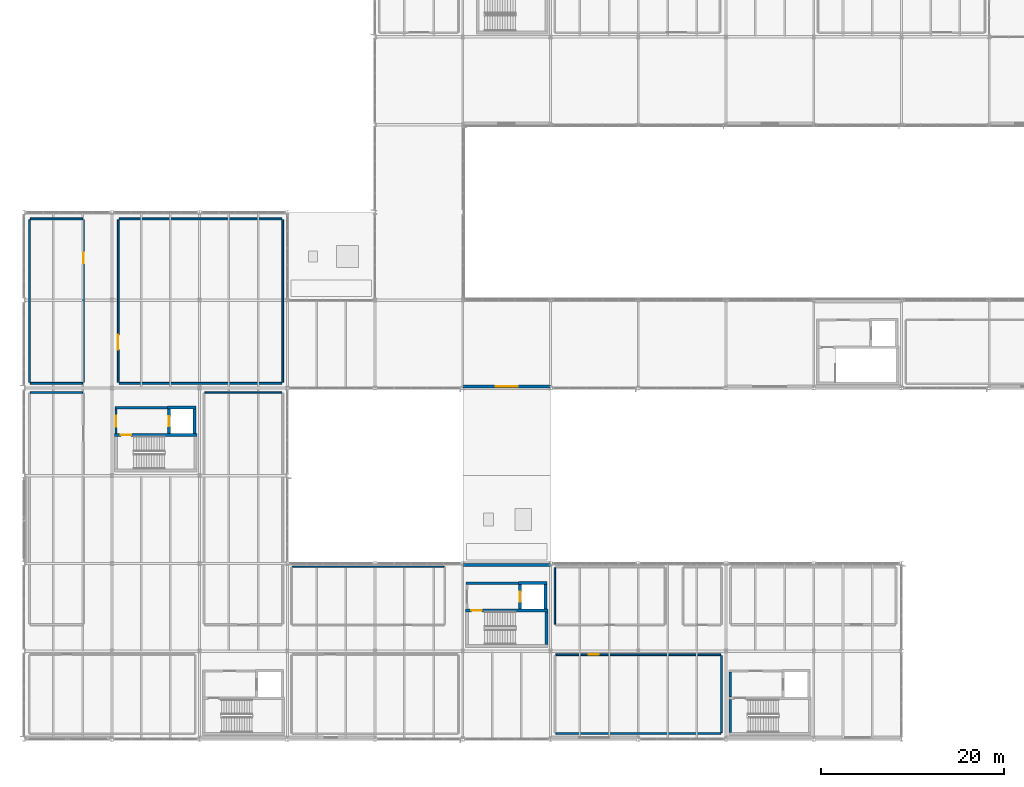
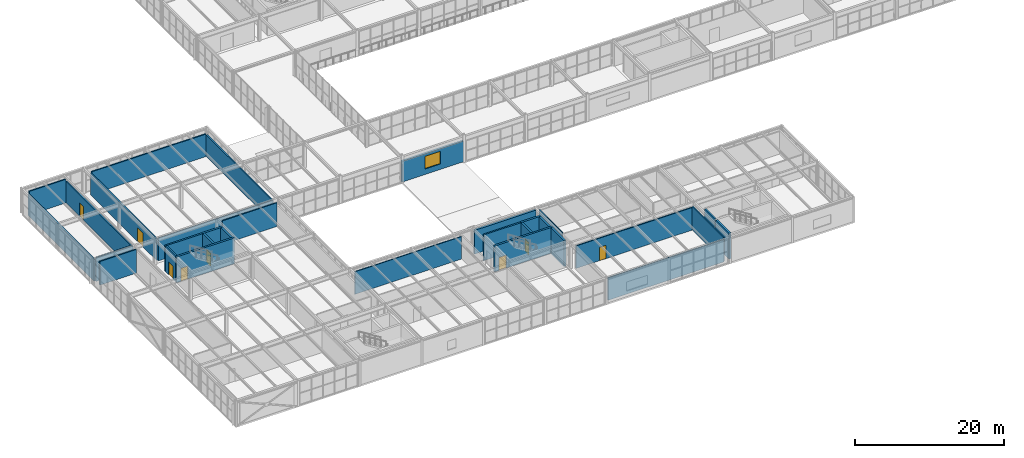
# One storey, part 151 of 170: 31 walls, 8 doors, 1 window, 9 openings.
"""IFC4 building model written with IfcOpenShell, lengths in metres."""

from ifc_helpers import new_model, si_unit, direction, frame, frame_2d, origin, place, context, subcontext, project, spatial, rectangle, extrude, material, layer, layer_set, type_object, element, fill, save


model = new_model("IFC4")

# Units and contexts
model_context = context("Model", 3, precision=1e-05, world=origin(), true_north=direction((0.0, 1.0)))
body_context = subcontext(model_context, "Body", "Model", "MODEL_VIEW")
ifc_project = project(units=[si_unit("LENGTHUNIT", "METRE"), si_unit("AREAUNIT", "SQUARE_METRE"), si_unit("VOLUMEUNIT", "CUBIC_METRE"), si_unit("PLANEANGLEUNIT", "RADIAN"), si_unit("MASSUNIT", "GRAM", prefix="KILO")], contexts=[model_context])

# Site, building, storey
site_placement = place(None, origin())
site = spatial("IfcSite", under=ifc_project, at=site_placement, CompositionType="ELEMENT")
building_placement = place(site_placement, origin())
building = spatial("IfcBuilding", under=site, at=building_placement, Name="Coralgate Yard Interchange", CompositionType="ELEMENT")
storey_placement = place(building_placement, frame((0.0, 0.0, 6.0)))
storey = spatial("IfcBuildingStorey", under=building, at=storey_placement, Name="L01", CompositionType="ELEMENT", Elevation=6.0)

# Wall, opening, door
ifc_material_1 = material(Name="Concrete C40/50", Category="concrete")
ifc_layer_1 = layer(ifc_material_1, 0.300048828125)
ifc_layer_set_1 = layer_set([ifc_layer_1], Name="Concrete C40/50")
wall_type_1 = type_object("IfcWallType", Name="WAL-CW300", PredefinedType="SHEAR", material=ifc_layer_set_1)
wall_1_placement = place(storey_placement, frame((18.89990234375, 33.25, 0.0), z_axis=(0.0, 0.0, 1.0), x_axis=(-1.0, 0.0, 0.0)))
wall_1 = element("IfcWall", 1, at=wall_1_placement, inside=storey, type_object=wall_type_1, Name="C1 L01 stair north shear wall", PredefinedType="SHEAR", context=body_context, shape_type="SweptSolid", body=[
    extrude(rectangle(XDim=9.0, YDim=0.300048828125, at=frame_2d((4.5, 0.0))), origin(), (0.0, 0.0, 1.0), 4.25),
])
opening_1_placement = place(wall_1_placement, frame((7.199951171875, 0.0, 0.0)))
opening_1 = element("IfcOpeningElement", 2, at=opening_1_placement, cuts=wall_1, Name="Opening FD-1", PredefinedType="OPENING", context=body_context, shape_type="SweptSolid", body=[
    extrude(rectangle(XDim=1.10009765625, YDim=2.14990234375, at=frame_2d((0.550048828125, 1.074951171875))), frame((0.0, 0.159912109375, 0.0), z_axis=(0.0, -1.0, 0.0), x_axis=(1.0, 0.0, 0.0)), (0.0, 0.0, 1.0), 0.320068359375),
])
ifc_material_2 = material(Name="Powder-coated steel fire door assembly", Category="steel")
door_type_1 = type_object("IfcDoorType", Name="DOR-FD-1", OperationType="NOTDEFINED", PredefinedType="DOOR", material=ifc_material_2)
door_1_placement = place(opening_1_placement, frame((1.10009765625, 0.0, 0.0), z_axis=(0.0, 0.0, 1.0), x_axis=(-1.0, 0.0, 0.0)))
door_1 = element("IfcDoor", 3, at=door_1_placement, inside=storey, type_object=door_type_1, Name="C1 L01 stair fire door", OperationType="SINGLE_SWING_RIGHT", OverallHeight=2.14990234375, OverallWidth=1.10009765625, PredefinedType="DOOR", context=body_context, shape_type="SweptSolid", body=[
    extrude(rectangle(XDim=1.10009765625, YDim=2.14990234375, at=frame_2d((0.550048828125, 1.074951171875))), frame((0.0, 0.02490234375, 0.0), z_axis=(0.0, -1.0, 0.0), x_axis=(1.0, 0.0, 0.0)), (0.0, 0.0, 1.0), 0.050048828125),
])
fill(opening_1, door_1)

wall_2_placement = place(storey_placement, frame((15.85009765625, 36.10009765625, 0.0), z_axis=(0.0, 0.0, 1.0), x_axis=(0.0, -1.0, 0.0)))
wall_2 = element("IfcWall", 4, at=wall_2_placement, inside=storey, type_object=wall_type_1, Name="C1 L01 lift front shear wall", PredefinedType="SHEAR", context=body_context, shape_type="SweptSolid", body=[
    extrude(rectangle(XDim=2.7001953125, YDim=0.300048828125, at=frame_2d((1.35009765625, 0.0))), origin(), (0.0, 0.0, 1.0), 4.25),
])
opening_2_placement = place(wall_2_placement, frame((0.800048828125, 0.0, 0.0)))
opening_2 = element("IfcOpeningElement", 5, at=opening_2_placement, cuts=wall_2, Name="Opening LD-1", PredefinedType="OPENING", context=body_context, shape_type="SweptSolid", body=[
    extrude(rectangle(XDim=1.10009765625, YDim=2.10009765625, at=frame_2d((0.550048828125, 1.050048828125))), frame((0.0, 0.159912109375, 0.0), z_axis=(0.0, -1.0, 0.0), x_axis=(1.0, 0.0, 0.0)), (0.0, 0.0, 1.0), 0.320068359375),
])
ifc_material_3 = material(Name="Brushed stainless steel firefighting lift landing door", Category="steel")
door_type_2 = type_object("IfcDoorType", Name="DOR-LD-1", OperationType="DOUBLE_DOOR_SLIDING", PredefinedType="DOOR", material=ifc_material_3)
door_2_placement = place(opening_2_placement, frame((1.10009765625, 0.0, 0.0), z_axis=(0.0, 0.0, 1.0), x_axis=(-1.0, 0.0, 0.0)))
door_2 = element("IfcDoor", 6, at=door_2_placement, inside=storey, type_object=door_type_2, Name="FFL-01 L01 sliding lift landing door", OperationType="DOUBLE_DOOR_SLIDING", OverallHeight=2.10009765625, OverallWidth=1.10009765625, PredefinedType="DOOR", context=body_context, shape_type="SweptSolid", body=[
    extrude(rectangle(XDim=1.10009765625, YDim=2.10009765625, at=frame_2d((0.550048828125, 1.050048828125))), frame((0.0, 0.02490234375, 0.0), z_axis=(0.0, -1.0, 0.0), x_axis=(1.0, 0.0, 0.0)), (0.0, 0.0, 1.0), 0.050048828125),
])
fill(opening_2, door_2)

# Walls
wall_3_placement = place(storey_placement, frame((18.64990234375, 33.39990234375, 0.0), z_axis=(0.0, 0.0, 1.0), x_axis=(0.0, 1.0, 0.0)))
element("IfcWall", 7, at=wall_3_placement, inside=storey, type_object=wall_type_1, Name="C1 L01 lift rear shear wall", PredefinedType="SHEAR", context=body_context, shape_type="SweptSolid", body=[
    extrude(rectangle(XDim=2.7001953125, YDim=0.300048828125, at=frame_2d((1.35009765625, 0.0))), origin(), (0.0, 0.0, 1.0), 4.25),
])
wall_4_placement = place(storey_placement, frame((15.699951171875, 36.25, 0.0), z_axis=(0.0, 0.0, 1.0), x_axis=(1.0, 0.0, 0.0)))
element("IfcWall", 8, at=wall_4_placement, inside=storey, type_object=wall_type_1, Name="C1 L01 lift north shear wall", PredefinedType="SHEAR", context=body_context, shape_type="SweptSolid", body=[
    extrude(rectangle(XDim=3.10009765625, YDim=0.300048828125, at=frame_2d((1.550048828125, 0.0))), origin(), (0.0, 0.0, 1.0), 4.25),
])

# Wall, opening, door
wall_5_placement = place(storey_placement, frame((57.300048828125, 14.050048828125, 0.0), z_axis=(0.0, 0.0, 1.0), x_axis=(-1.0, 0.0, 0.0)))
wall_5 = element("IfcWall", 9, at=wall_5_placement, inside=storey, type_object=wall_type_1, Name="C2 L01 stair north shear wall", PredefinedType="SHEAR", context=body_context, shape_type="SweptSolid", body=[
    extrude(rectangle(XDim=9.0, YDim=0.300048828125, at=frame_2d((4.5, 0.0))), origin(), (0.0, 0.0, 1.0), 4.25),
])
opening_3_placement = place(wall_5_placement, frame((7.199951171875, 0.0, 0.0)))
opening_3 = element("IfcOpeningElement", 10, at=opening_3_placement, cuts=wall_5, Name="Opening FD-1B", PredefinedType="OPENING", context=body_context, shape_type="SweptSolid", body=[
    extrude(rectangle(XDim=1.14990234375, YDim=2.14990234375, at=frame_2d((0.574951171875, 1.074951171875))), frame((0.0, 0.159912109375, 0.0), z_axis=(0.0, -1.0, 0.0), x_axis=(1.0, 0.0, 0.0)), (0.0, 0.0, 1.0), 0.320068359375),
])
door_type_3 = type_object("IfcDoorType", Name="DOR-FD-1B", OperationType="NOTDEFINED", PredefinedType="DOOR", material=ifc_material_2)
door_3_placement = place(opening_3_placement, frame((1.14990234375, 0.0, 0.0), z_axis=(0.0, 0.0, 1.0), x_axis=(-1.0, 0.0, 0.0)))
door_3 = element("IfcDoor", 11, at=door_3_placement, inside=storey, type_object=door_type_3, Name="C2 L01 stair fire door", OperationType="SINGLE_SWING_LEFT", OverallHeight=2.14990234375, OverallWidth=1.14990234375, PredefinedType="DOOR", context=body_context, shape_type="SweptSolid", body=[
    extrude(rectangle(XDim=1.14990234375, YDim=2.14990234375, at=frame_2d((0.574951171875, 1.074951171875))), frame((0.0, 0.02490234375, 0.0), z_axis=(0.0, -1.0, 0.0), x_axis=(1.0, 0.0, 0.0)), (0.0, 0.0, 1.0), 0.050048828125),
])
fill(opening_3, door_3)

# Wall
wall_6_placement = place(storey_placement, frame((57.14990234375, 13.89990234375, 0.0), z_axis=(0.0, 0.0, 1.0), x_axis=(0.0, -1.0, 0.0)))
element("IfcWall", 12, at=wall_6_placement, inside=storey, type_object=wall_type_1, Name="C2 L01 stair east shear wall", PredefinedType="SHEAR", context=body_context, shape_type="SweptSolid", body=[
    extrude(rectangle(XDim=3.579833984375, YDim=0.300048828125, at=frame_2d((1.7900390625, 0.0))), origin(), (0.0, 0.0, 1.0), 4.25),
])

# Wall, opening, door
wall_7_placement = place(storey_placement, frame((54.25, 16.89990234375, 0.0), z_axis=(0.0, 0.0, 1.0), x_axis=(0.0, -1.0, 0.0)))
wall_7 = element("IfcWall", 13, at=wall_7_placement, inside=storey, type_object=wall_type_1, Name="C2 L01 lift front shear wall", PredefinedType="SHEAR", context=body_context, shape_type="SweptSolid", body=[
    extrude(rectangle(XDim=2.699951171875, YDim=0.300048828125, at=frame_2d((1.35009765625, 0.0))), origin(), (0.0, 0.0, 1.0), 4.25),
])
opening_4_placement = place(wall_7_placement, frame((0.800048828125, 0.0, 0.0)))
opening_4 = element("IfcOpeningElement", 14, at=opening_4_placement, cuts=wall_7, Name="Opening LD-1", PredefinedType="OPENING", context=body_context, shape_type="SweptSolid", body=[
    extrude(rectangle(XDim=1.10009765625, YDim=2.10009765625, at=frame_2d((0.550048828125, 1.050048828125))), frame((0.0, 0.159912109375, 0.0), z_axis=(0.0, -1.0, 0.0), x_axis=(1.0, 0.0, 0.0)), (0.0, 0.0, 1.0), 0.320068359375),
])
door_4_placement = place(opening_4_placement, frame((1.10009765625, 0.0, 0.0), z_axis=(0.0, 0.0, 1.0), x_axis=(-1.0, 0.0, 0.0)))
door_4 = element("IfcDoor", 15, at=door_4_placement, inside=storey, type_object=door_type_2, Name="FFL-02 L01 sliding lift landing door", OperationType="DOUBLE_DOOR_SLIDING", OverallHeight=2.10009765625, OverallWidth=1.10009765625, PredefinedType="DOOR", context=body_context, shape_type="SweptSolid", body=[
    extrude(rectangle(XDim=1.10009765625, YDim=2.10009765625, at=frame_2d((0.550048828125, 1.050048828125))), frame((0.0, 0.02490234375, 0.0), z_axis=(0.0, -1.0, 0.0), x_axis=(1.0, 0.0, 0.0)), (0.0, 0.0, 1.0), 0.050048828125),
])
fill(opening_4, door_4)

# Walls
wall_8_placement = place(storey_placement, frame((57.050048828125, 14.199951171875, 0.0), z_axis=(0.0, 0.0, 1.0), x_axis=(0.0, 1.0, 0.0)))
element("IfcWall", 16, at=wall_8_placement, inside=storey, type_object=wall_type_1, Name="C2 L01 lift rear shear wall", PredefinedType="SHEAR", context=body_context, shape_type="SweptSolid", body=[
    extrude(rectangle(XDim=2.699951171875, YDim=0.300048828125, at=frame_2d((1.35009765625, 0.0))), origin(), (0.0, 0.0, 1.0), 4.25),
])
wall_9_placement = place(storey_placement, frame((54.10009765625, 17.050048828125, 0.0), z_axis=(0.0, 0.0, 1.0), x_axis=(1.0, 0.0, 0.0)))
element("IfcWall", 17, at=wall_9_placement, inside=storey, type_object=wall_type_1, Name="C2 L01 lift north shear wall", PredefinedType="SHEAR", context=body_context, shape_type="SweptSolid", body=[
    extrude(rectangle(XDim=3.099853515625, YDim=0.300048828125, at=frame_2d((1.5498046875, 0.0))), origin(), (0.0, 0.0, 1.0), 4.25),
])
wall_10_placement = place(storey_placement, frame((77.25, 0.719970703125, 0.0), z_axis=(0.0, 0.0, 1.0), x_axis=(0.0, 1.0, 0.0)))
element("IfcWall", 18, at=wall_10_placement, inside=storey, type_object=wall_type_1, Name="C4 L01 stair west shear wall", PredefinedType="SHEAR", context=body_context, shape_type="SweptSolid", body=[
    extrude(rectangle(XDim=3.580078125, YDim=0.300048828125, at=frame_2d((1.7900390625, 0.0))), origin(), (0.0, 0.0, 1.0), 4.25),
])
ifc_material_4 = material(Name="Precast concrete C40/50", Category="concrete")
ifc_layer_2 = layer(ifc_material_4, 0.320068359375)
ifc_layer_set_2 = layer_set([ifc_layer_2], Name="Precast concrete C40/50")
wall_type_2 = type_object("IfcWallType", Name="WAL-EW-320", PredefinedType="SOLIDWALL", material=ifc_layer_set_2)
wall_11_placement = place(storey_placement, frame((48.02001953125, 19.0400390625, 0.0), z_axis=(0.0, 0.0, 1.0), x_axis=(1.0, 0.0, 0.0)))
element("IfcWall", 19, at=wall_11_placement, inside=storey, type_object=wall_type_2, Name="L01 exterior coastal wall N 5-1", PredefinedType="SOLIDWALL", context=body_context, shape_type="SweptSolid", body=[
    extrude(rectangle(XDim=9.56005859375, YDim=0.320068359375, at=frame_2d((4.780029296875, 0.0))), origin(), (0.0, 0.0, 1.0), 3.89990234375),
])

# Wall, opening, window
wall_12_placement = place(storey_placement, frame((57.580078125, 38.56005859375, 0.0), z_axis=(0.0, 0.0, 1.0), x_axis=(-1.0, 0.0, 0.0)))
wall_12 = element("IfcWall", 20, at=wall_12_placement, inside=storey, type_object=wall_type_2, Name="L01 exterior coastal wall S 5-4", PredefinedType="SOLIDWALL", context=body_context, shape_type="SweptSolid", body=[
    extrude(rectangle(XDim=9.56005859375, YDim=0.320068359375, at=frame_2d((4.780029296875, 0.0))), origin(), (0.0, 0.0, 1.0), 3.4091796875),
])
opening_5_placement = place(wall_12_placement, frame((3.580078125, 0.0, 0.89990234375)))
opening_5 = element("IfcOpeningElement", 21, at=opening_5_placement, cuts=wall_12, Name="Opening W-01", PredefinedType="OPENING", context=body_context, shape_type="SweptSolid", body=[
    extrude(rectangle(XDim=2.39990234375, YDim=2.10009765625, at=frame_2d((1.199951171875, 1.050048828125))), frame((0.0, 0.169921875, 0.0), z_axis=(0.0, -1.0, 0.0), x_axis=(1.0, 0.0, 0.0)), (0.0, 0.0, 1.0), 0.340087890625),
])
ifc_material_5 = material(Name="Thermally broken anodised aluminium and solar-control low-E glass", Category="aluminium")
window_type = type_object("IfcWindowType", Name="WIN-W-01", PartitioningType="SINGLE_PANEL", PredefinedType="WINDOW", material=ifc_material_5)
window_placement = place(opening_5_placement, origin())
window = element("IfcWindow", 22, at=window_placement, inside=storey, type_object=window_type, Name="L01 coastal facade window S-5-4", OverallHeight=2.10009765625, OverallWidth=2.39990234375, PartitioningType="SINGLE_PANEL", PredefinedType="WINDOW", context=body_context, shape_type="SweptSolid", body=[
    extrude(rectangle(XDim=2.39990234375, YDim=2.10009765625, at=frame_2d((1.199951171875, 1.050048828125))), frame((0.0, 0.030029296875, 0.0), z_axis=(0.0, -1.0, 0.0), x_axis=(1.0, 0.0, 0.0)), (0.0, 0.0, 1.0), 0.06005859375),
])
fill(opening_5, window)

# Walls
ifc_material_6 = material(Name="Acoustic twin-stud office partition")
ifc_layer_3 = layer(ifc_material_6, 0.139892578125)
ifc_layer_set_3 = layer_set([ifc_layer_3], Name="Acoustic twin-stud office partition")
wall_type_3 = type_object("IfcWallType", Name="WAL-PW-140", PredefinedType="PARTITIONING", material=ifc_layer_set_3)
wall_13_placement = place(storey_placement, frame((29.340087890625, 18.830078125, 0.0), z_axis=(0.0, 0.0, 1.0), x_axis=(1.0, 0.0, 0.0)))
element("IfcWall", 23, at=wall_13_placement, inside=storey, type_object=wall_type_3, Name="Station Facilities Management Office partition N", PredefinedType="PARTITIONING", context=body_context, shape_type="SweptSolid", body=[
    extrude(rectangle(XDim=16.619873046875, YDim=0.139892578125, at=frame_2d((8.31005859375, 0.0))), origin(), (0.0, 0.0, 1.0), 3.706787109375),
])
ifc_material_7 = material(Name="Moisture-resistant masonry washroom wall", Category="masonry")
ifc_layer_4 = layer(ifc_material_7, 0.14990234375)
ifc_layer_set_4 = layer_set([ifc_layer_4], Name="Moisture-resistant masonry washroom wall")
wall_type_4 = type_object("IfcWallType", Name="WAL-PW-150", PredefinedType="PLUMBINGWALL", material=ifc_layer_set_4)
wall_14_placement = place(storey_placement, frame((58.074951171875, 12.550048828125, 0.0), z_axis=(0.0, 0.0, 1.0), x_axis=(0.0, 1.0, 0.0)))
element("IfcWall", 24, at=wall_14_placement, inside=storey, type_object=wall_type_4, Name="L01 Staff and Mezzanine Washroom partition W", PredefinedType="PLUMBINGWALL", context=body_context, shape_type="SweptSolid", body=[
    extrude(rectangle(XDim=6.199951171875, YDim=0.14990234375, at=frame_2d((3.10009765625, 0.0))), origin(), (0.0, 0.0, 1.0), 3.889892578125),
])
ifc_material_8 = material(Name="Acoustic concrete blockwork", Category="masonry")
ifc_layer_5 = layer(ifc_material_8, 0.179931640625)
ifc_layer_set_5 = layer_set([ifc_layer_5], Name="Acoustic concrete blockwork")
wall_type_5 = type_object("IfcWallType", Name="WAL-PW-180", PredefinedType="PARTITIONING", material=ifc_layer_set_5)
wall_15_placement = place(storey_placement, frame((19.780029296875, 37.909912109375, 0.0), z_axis=(0.0, 0.0, 1.0), x_axis=(1.0, 0.0, 0.0)))
element("IfcWall", 25, at=wall_15_placement, inside=storey, type_object=wall_type_5, Name="Fibre Telecoms and Radio Hub partition N", PredefinedType="PARTITIONING", context=body_context, shape_type="SweptSolid", body=[
    extrude(rectangle(XDim=8.43994140625, YDim=0.179931640625, at=frame_2d((4.219970703125, 0.0))), origin(), (0.0, 0.0, 1.0), 3.889892578125),
])
wall_16_placement = place(storey_placement, frame((76.219970703125, 0.590087890625, 0.0), z_axis=(0.0, 0.0, 1.0), x_axis=(-1.0, 0.0, 0.0)))
element("IfcWall", 26, at=wall_16_placement, inside=storey, type_object=wall_type_5, Name="Revenue Audit and Counting Suite partition S", PredefinedType="PARTITIONING", context=body_context, shape_type="SweptSolid", body=[
    extrude(rectangle(XDim=18.0400390625, YDim=0.179931640625, at=frame_2d((9.02001953125, 0.0))), origin(), (0.0, 0.0, 1.0), 3.706787109375),
])

# Wall, opening, door
wall_17_placement = place(storey_placement, frame((58.179931640625, 9.2099609375, 0.0), z_axis=(0.0, 0.0, 1.0), x_axis=(1.0, 0.0, 0.0)))
wall_17 = element("IfcWall", 27, at=wall_17_placement, inside=storey, type_object=wall_type_5, Name="Revenue Audit and Counting Suite partition N", PredefinedType="PARTITIONING", context=body_context, shape_type="SweptSolid", body=[
    extrude(rectangle(XDim=18.0400390625, YDim=0.179931640625, at=frame_2d((9.02001953125, 0.0))), origin(), (0.0, 0.0, 1.0), 3.706787109375),
])
opening_6_placement = place(wall_17_placement, frame((3.60009765625, 0.0, 0.0)))
opening_6 = element("IfcOpeningElement", 28, at=opening_6_placement, cuts=wall_17, Name="Opening ID-14", PredefinedType="OPENING", context=body_context, shape_type="SweptSolid", body=[
    extrude(rectangle(XDim=1.080078125, YDim=2.199951171875, at=frame_2d((0.5400390625, 1.10009765625))), frame((0.0, 0.099853515625, 0.0), z_axis=(0.0, -1.0, 0.0), x_axis=(1.0, 0.0, 0.0)), (0.0, 0.0, 1.0), 0.199951171875),
])
ifc_material_9 = material(Name="Fire-rated technical office door")
door_type_4 = type_object("IfcDoorType", Name="DOR-ID-14", OperationType="NOTDEFINED", PredefinedType="DOOR", material=ifc_material_9)
door_5_placement = place(opening_6_placement, origin())
door_5 = element("IfcDoor", 29, at=door_5_placement, inside=storey, type_object=door_type_4, Name="Revenue Audit and Counting Suite door", OperationType="SINGLE_SWING_RIGHT", OverallHeight=2.199951171875, OverallWidth=1.080078125, PredefinedType="DOOR", context=body_context, shape_type="SweptSolid", body=[
    extrude(rectangle(XDim=1.080078125, YDim=2.199951171875, at=frame_2d((0.5400390625, 1.10009765625))), frame((0.0, 0.02490234375, 0.0), z_axis=(0.0, -1.0, 0.0), x_axis=(1.0, 0.0, 0.0)), (0.0, 0.0, 1.0), 0.050048828125),
])
fill(opening_6, door_5)

# Walls
wall_18_placement = place(storey_placement, frame((76.31005859375, 9.1201171875, 0.0), z_axis=(0.0, 0.0, 1.0), x_axis=(0.0, -1.0, 0.0)))
element("IfcWall", 30, at=wall_18_placement, inside=storey, type_object=wall_type_5, Name="Revenue Audit and Counting Suite partition E", PredefinedType="PARTITIONING", context=body_context, shape_type="SweptSolid", body=[
    extrude(rectangle(XDim=8.440185546875, YDim=0.179931640625, at=frame_2d((4.22021484375, 0.0))), origin(), (0.0, 0.0, 1.0), 3.889892578125),
])
ifc_material_10 = material(Name="Concrete blockwork masonry", Category="masonry")
ifc_layer_6 = layer(ifc_material_10, 0.199951171875)
ifc_layer_set_6 = layer_set([ifc_layer_6], Name="Concrete blockwork masonry")
wall_type_6 = type_object("IfcWallType", Name="WAL-PW-200", PredefinedType="PARTITIONING", material=ifc_layer_set_6)
for number, where, z_axis, x_axis, name in (
    (31, (0.699951171875, 37.89990234375, 0.0), (0.0, 0.0, 1.0), (1.0, 0.0, 0.0), "Metro Interlocking and Signalling Equipment Room partition N"),
    (32, (6.39990234375, 38.89990234375, 0.0), (0.0, 0.0, 1.0), (-1.0, 0.0, 0.0), "Signalling Redundant Battery Room partition S"),
    (33, (0.699951171875, 56.89990234375, 0.0), (0.0, 0.0, 1.0), (1.0, 0.0, 0.0), "Signalling Redundant Battery Room partition N"),
):
    element("IfcWall", number, at=place(storey_placement, frame(where, z_axis=z_axis, x_axis=x_axis)), inside=storey, type_object=wall_type_6, Name=name, PredefinedType="PARTITIONING", context=body_context, shape_type="SweptSolid", body=[
        extrude(rectangle(XDim=5.699951171875, YDim=0.199951171875, at=frame_2d((2.85009765625, 0.0))), origin(), (0.0, 0.0, 1.0), 3.889892578125),
    ])
wall_19_placement = place(storey_placement, frame((0.60009765625, 39.0, 0.0), z_axis=(0.0, 0.0, 1.0), x_axis=(0.0, 1.0, 0.0)))
element("IfcWall", 34, at=wall_19_placement, inside=storey, type_object=wall_type_6, Name="Signalling Redundant Battery Room partition W", PredefinedType="PARTITIONING", context=body_context, shape_type="SweptSolid", body=[
    extrude(rectangle(XDim=17.800048828125, YDim=0.199951171875, at=frame_2d((8.89990234375, 0.0))), origin(), (0.0, 0.0, 1.0), 3.556396484375),
])

# Wall, opening, door
wall_20_placement = place(storey_placement, frame((6.5, 56.800048828125, 0.0), z_axis=(0.0, 0.0, 1.0), x_axis=(0.0, -1.0, 0.0)))
wall_20 = element("IfcWall", 35, at=wall_20_placement, inside=storey, type_object=wall_type_6, Name="Signalling Redundant Battery Room partition E", PredefinedType="PARTITIONING", context=body_context, shape_type="SweptSolid", body=[
    extrude(rectangle(XDim=17.800048828125, YDim=0.199951171875, at=frame_2d((8.89990234375, 0.0))), origin(), (0.0, 0.0, 1.0), 3.556396484375),
])
opening_7_placement = place(wall_20_placement, frame((3.60009765625, 0.0, 0.0)))
opening_7 = element("IfcOpeningElement", 36, at=opening_7_placement, cuts=wall_20, Name="Opening ID-15", PredefinedType="OPENING", context=body_context, shape_type="SweptSolid", body=[
    extrude(rectangle(XDim=1.14990234375, YDim=2.199951171875, at=frame_2d((0.574951171875, 1.10009765625))), frame((0.0, 0.10986328125, 0.0), z_axis=(0.0, -1.0, 0.0), x_axis=(1.0, 0.0, 0.0)), (0.0, 0.0, 1.0), 0.219970703125),
])
ifc_material_11 = material(Name="Steel electrical riser and UPS door", Category="steel")
door_type_5 = type_object("IfcDoorType", Name="DOR-ID-15", OperationType="NOTDEFINED", PredefinedType="DOOR", material=ifc_material_11)
door_6_placement = place(opening_7_placement, frame((1.14990234375, 0.0, 0.0), z_axis=(0.0, 0.0, 1.0), x_axis=(-1.0, 0.0, 0.0)))
door_6 = element("IfcDoor", 37, at=door_6_placement, inside=storey, type_object=door_type_5, Name="Signalling Redundant Battery Room door", OperationType="SINGLE_SWING_RIGHT", OverallHeight=2.199951171875, OverallWidth=1.14990234375, PredefinedType="DOOR", context=body_context, shape_type="SweptSolid", body=[
    extrude(rectangle(XDim=1.14990234375, YDim=2.199951171875, at=frame_2d((0.574951171875, 1.10009765625))), frame((0.0, 0.02490234375, 0.0), z_axis=(0.0, -1.0, 0.0), x_axis=(1.0, 0.0, 0.0)), (0.0, 0.0, 1.0), 0.050048828125),
])
fill(opening_7, door_6)

# Walls
for number, where, z_axis, x_axis, name in (
    (38, (28.199951171875, 38.89990234375, 0.0), (0.0, 0.0, 1.0), (-1.0, 0.0, 0.0), "Uninterruptible Power Supply Room partition S"),
    (39, (10.39990234375, 56.89990234375, 0.0), (0.0, 0.0, 1.0), (1.0, 0.0, 0.0), "Uninterruptible Power Supply Room partition N"),
):
    element("IfcWall", number, at=place(storey_placement, frame(where, z_axis=z_axis, x_axis=x_axis)), inside=storey, type_object=wall_type_6, Name=name, PredefinedType="PARTITIONING", context=body_context, shape_type="SweptSolid", body=[
        extrude(rectangle(XDim=17.800048828125, YDim=0.199951171875, at=frame_2d((8.89990234375, 0.0))), origin(), (0.0, 0.0, 1.0), 3.706787109375),
    ])

# Wall, opening, door
wall_21_placement = place(storey_placement, frame((10.300048828125, 39.0, 0.0), z_axis=(0.0, 0.0, 1.0), x_axis=(0.0, 1.0, 0.0)))
wall_21 = element("IfcWall", 40, at=wall_21_placement, inside=storey, type_object=wall_type_6, Name="Uninterruptible Power Supply Room partition W", PredefinedType="PARTITIONING", context=body_context, shape_type="SweptSolid", body=[
    extrude(rectangle(XDim=17.800048828125, YDim=0.199951171875, at=frame_2d((8.89990234375, 0.0))), origin(), (0.0, 0.0, 1.0), 3.556396484375),
])
opening_8_placement = place(wall_21_placement, frame((3.60009765625, 0.0, 0.0)))
opening_8 = element("IfcOpeningElement", 41, at=opening_8_placement, cuts=wall_21, Name="Opening ID-07", PredefinedType="OPENING", context=body_context, shape_type="SweptSolid", body=[
    extrude(rectangle(XDim=1.60009765625, YDim=2.300048828125, at=frame_2d((0.800048828125, 1.14990234375))), frame((0.0, 0.10986328125, 0.0), z_axis=(0.0, -1.0, 0.0), x_axis=(1.0, 0.0, 0.0)), (0.0, 0.0, 1.0), 0.219970703125),
])
ifc_material_12 = material(Name="Powder-coated steel substation and plant double fire door", Category="steel")
door_type_6 = type_object("IfcDoorType", Name="DOR-ID-07", OperationType="NOTDEFINED", PredefinedType="DOOR", material=ifc_material_12)
door_7_placement = place(opening_8_placement, origin())
door_7 = element("IfcDoor", 42, at=door_7_placement, inside=storey, type_object=door_type_6, Name="Uninterruptible Power Supply Room door", OperationType="DOUBLE_DOOR_SINGLE_SWING", OverallHeight=2.300048828125, OverallWidth=1.60009765625, PredefinedType="DOOR", context=body_context, shape_type="SweptSolid", body=[
    extrude(rectangle(XDim=1.60009765625, YDim=2.300048828125, at=frame_2d((0.800048828125, 1.14990234375))), frame((0.0, 0.02490234375, 0.0), z_axis=(0.0, -1.0, 0.0), x_axis=(1.0, 0.0, 0.0)), (0.0, 0.0, 1.0), 0.050048828125),
])
fill(opening_8, door_7)

# Walls
wall_22_placement = place(storey_placement, frame((28.300048828125, 56.800048828125, 0.0), z_axis=(0.0, 0.0, 1.0), x_axis=(0.0, -1.0, 0.0)))
element("IfcWall", 43, at=wall_22_placement, inside=storey, type_object=wall_type_6, Name="Uninterruptible Power Supply Room partition E", PredefinedType="PARTITIONING", context=body_context, shape_type="SweptSolid", body=[
    extrude(rectangle(XDim=17.800048828125, YDim=0.199951171875, at=frame_2d((8.89990234375, 0.0))), origin(), (0.0, 0.0, 1.0), 3.556396484375),
])
ifc_layer_7 = layer(ifc_material_1, 0.25)
ifc_layer_set_7 = layer_set([ifc_layer_7], Name="Concrete C40/50")
wall_type_7 = type_object("IfcWallType", Name="WAL-SW250", PredefinedType="SHEAR", material=ifc_layer_set_7)
wall_23_placement = place(storey_placement, frame((15.699951171875, 36.22509765625, 0.0), z_axis=(0.0, 0.0, 1.0), x_axis=(-1.0, 0.0, 0.0)))
element("IfcWall", 44, at=wall_23_placement, inside=storey, type_object=wall_type_7, Name="C1 L01 lobby north fire wall", PredefinedType="SHEAR", context=body_context, shape_type="SweptSolid", body=[
    extrude(rectangle(XDim=5.77490234375, YDim=0.25, at=frame_2d((2.887451171875, 0.0))), origin(), (0.0, 0.0, 1.0), 4.25),
])

# Wall, opening, door
wall_24_placement = place(storey_placement, frame((10.050048828125, 33.39990234375, 0.0), z_axis=(0.0, 0.0, 1.0), x_axis=(0.0, 1.0, 0.0)))
wall_24 = element("IfcWall", 45, at=wall_24_placement, inside=storey, type_object=wall_type_7, Name="C1 L01 lobby west fire wall", PredefinedType="SHEAR", context=body_context, shape_type="SweptSolid", body=[
    extrude(rectangle(XDim=2.7001953125, YDim=0.25, at=frame_2d((1.35009765625, 0.0))), origin(), (0.0, 0.0, 1.0), 4.25),
])
opening_9_placement = place(wall_24_placement, frame((0.75, 0.0, 0.0)))
opening_9 = element("IfcOpeningElement", 46, at=opening_9_placement, cuts=wall_24, Name="Opening FD-2", PredefinedType="OPENING", context=body_context, shape_type="SweptSolid", body=[
    extrude(rectangle(XDim=1.199951171875, YDim=2.14990234375, at=frame_2d((0.60009765625, 1.074951171875))), frame((0.0, 0.135009765625, 0.0), z_axis=(0.0, -1.0, 0.0), x_axis=(1.0, 0.0, 0.0)), (0.0, 0.0, 1.0), 0.27001953125),
])
door_type_7 = type_object("IfcDoorType", Name="DOR-FD-2", OperationType="NOTDEFINED", PredefinedType="DOOR", material=ifc_material_2)
door_8_placement = place(opening_9_placement, frame((1.199951171875, 0.0, 0.0), z_axis=(0.0, 0.0, 1.0), x_axis=(-1.0, 0.0, 0.0)))
door_8 = element("IfcDoor", 47, at=door_8_placement, inside=storey, type_object=door_type_7, Name="C1 L01 lobby fire door", OperationType="SINGLE_SWING_LEFT", OverallHeight=2.14990234375, OverallWidth=1.199951171875, PredefinedType="DOOR", context=body_context, shape_type="SweptSolid", body=[
    extrude(rectangle(XDim=1.199951171875, YDim=2.14990234375, at=frame_2d((0.60009765625, 1.074951171875))), frame((0.0, 0.02490234375, 0.0), z_axis=(0.0, -1.0, 0.0), x_axis=(1.0, 0.0, 0.0)), (0.0, 0.0, 1.0), 0.050048828125),
])
fill(opening_9, door_8)

# Walls
wall_25_placement = place(storey_placement, frame((54.10009765625, 17.02490234375, 0.0), z_axis=(0.0, 0.0, 1.0), x_axis=(-1.0, 0.0, 0.0)))
element("IfcWall", 48, at=wall_25_placement, inside=storey, type_object=wall_type_7, Name="C2 L01 lobby north fire wall", PredefinedType="SHEAR", context=body_context, shape_type="SweptSolid", body=[
    extrude(rectangle(XDim=5.775146484375, YDim=0.25, at=frame_2d((2.8876953125, 0.0))), origin(), (0.0, 0.0, 1.0), 4.25),
])
wall_26_placement = place(storey_placement, frame((77.25, 4.60009765625, 0.0), z_axis=(0.0, 0.0, 1.0), x_axis=(0.0, 1.0, 0.0)))
element("IfcWall", 49, at=wall_26_placement, inside=storey, type_object=wall_type_7, Name="C4 L01 lobby west fire wall", PredefinedType="SHEAR", context=body_context, shape_type="SweptSolid", body=[
    extrude(rectangle(XDim=2.699951171875, YDim=0.25, at=frame_2d((1.35009765625, 0.0))), origin(), (0.0, 0.0, 1.0), 4.25),
])

save(model, "model.ifc")
